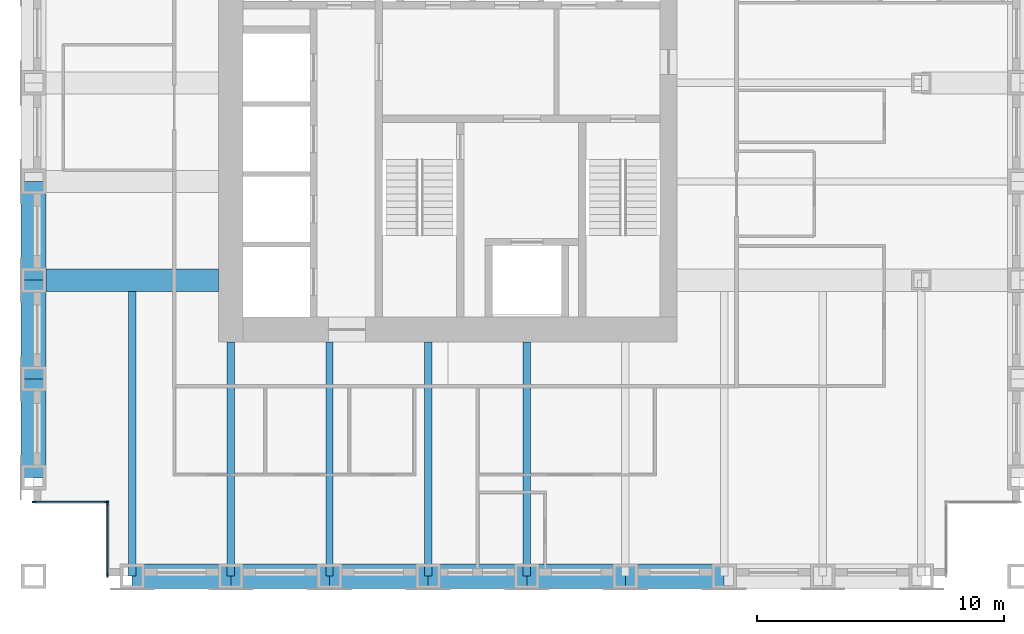
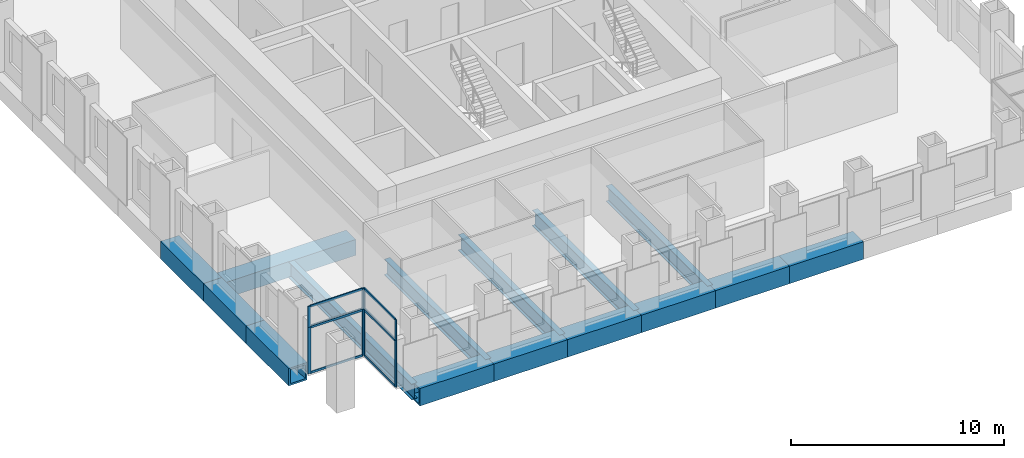
# One storey, part 2 of 14: 16 members, 15 beams, 4 elements without a shape of their own.
"""IFC4 building model written with IfcOpenShell, lengths in metres."""

from ifc_helpers import new_model, si_unit, direction, frame, origin, origin_2d, place, context, subcontext, project, spatial, rectangle, hollow_rectangle, i_section, extrude, material, material_profile, profile_set, type_object, element, aggregate, save


model = new_model("IFC4")

# Units and contexts
model_context = context("Model", 3, precision=1e-05, world=origin(), true_north=direction((0.0, 1.0)))
body_context = subcontext(model_context, "Body", "Model", "MODEL_VIEW")
ifc_project = project(units=[si_unit("LENGTHUNIT", "METRE"), si_unit("AREAUNIT", "SQUARE_METRE"), si_unit("VOLUMEUNIT", "CUBIC_METRE"), si_unit("PLANEANGLEUNIT", "RADIAN"), si_unit("MASSUNIT", "GRAM", prefix="KILO")], contexts=[model_context])

# Site, building, storey
site_placement = place(None, origin())
site = spatial("IfcSite", under=ifc_project, at=site_placement, CompositionType="ELEMENT")
building_placement = place(site_placement, origin())
building = spatial("IfcBuilding", under=site, at=building_placement, Name="Rimbunsela Tower", CompositionType="ELEMENT")
storey_placement = place(building_placement, frame((0.0, 0.0, 234.199951171875)))
storey = spatial("IfcBuildingStorey", under=building, at=storey_placement, Name="L56", CompositionType="ELEMENT", Elevation=234.199951171875)

# Beams
ifc_material_1 = material(Name="Steel BJ 55 (fy 410 MPa)", Category="steel")
ifc_material_profile_1 = material_profile(ifc_material_1, hollow_rectangle(XDim=1.0, YDim=1.0, WallThickness=0.10009765625, at=origin_2d()), Name="BOX 1000x1000x100")
ifc_profile_set_1 = profile_set([ifc_material_profile_1], Name="Steel BJ 55 (fy 410 MPa)")
beam_type_1 = type_object("IfcBeamType", Name="Beam BOX 1000x1000x100", PredefinedType="BEAM", material=ifc_profile_set_1)
for number, where, z_axis, x_axis, name in (
    (1, (10.0, 12.0, -0.64990234375), (0.0, 1.0, 0.0), (-1.0, 0.0, 0.0), "Beam B3 L56"),
    (2, (10.0, 16.0, -0.64990234375), (0.0, 1.0, 0.0), (-1.0, 0.0, 0.0), "Beam B3 L56"),
    (3, (10.0, 20.0, -0.64990234375), (0.0, 1.0, 0.0), (-1.0, 0.0, 0.0), "Beam B3 L56"),
    (4, (14.0, 8.0, -0.64990234375), (1.0, 0.0, 0.0), (0.0, 1.0, 0.0), "Beam B3 L56"),
    (5, (18.0, 8.0, -0.64990234375), (1.0, 0.0, 0.0), (0.0, 1.0, 0.0), "Beam B3 L56"),
    (6, (22.0, 8.0, -0.64990234375), (1.0, 0.0, 0.0), (0.0, 1.0, 0.0), "Beam B3 L56"),
    (7, (26.0, 8.0, -0.64990234375), (1.0, 0.0, 0.0), (0.0, 1.0, 0.0), "Beam B3 L56"),
    (8, (30.0, 8.0, -0.64990234375), (1.0, 0.0, 0.0), (0.0, 1.0, 0.0), "Beam B3 L56"),
    (9, (34.0, 8.0, -0.64990234375), (1.0, 0.0, 0.0), (0.0, 1.0, 0.0), "Beam B3 L56"),
):
    element("IfcBeam", number, at=place(storey_placement, frame(where, z_axis=z_axis, x_axis=x_axis)), inside=storey, type_object=beam_type_1, Name=name, PredefinedType="BEAM", context=body_context, shape_type="SweptSolid", body=[
        extrude(hollow_rectangle(XDim=1.0, YDim=1.0, WallThickness=0.10009765625, at=origin_2d()), origin(), (0.0, 0.0, 1.0), 4.0),
    ])
ifc_material_2 = material(Name="Steel BJ 55 (fy 410 MPa)", Category="steel")
ifc_material_profile_2 = material_profile(ifc_material_2, hollow_rectangle(XDim=0.89990234375, YDim=0.89990234375, WallThickness=0.06005859375, at=origin_2d()), Name="BOX 900x900x60")
ifc_profile_set_2 = profile_set([ifc_material_profile_2], Name="Steel BJ 55 (fy 410 MPa)")
beam_type_2 = type_object("IfcBeamType", Name="Beam BOX 900x900x60", PredefinedType="BEAM", material=ifc_profile_set_2)
beam_1_placement = place(storey_placement, frame((10.0, 20.0, -0.599853515625), z_axis=(1.0, 0.0, 0.0), x_axis=(0.0, 1.0, 0.0)))
element("IfcBeam", 10, at=beam_1_placement, inside=storey, type_object=beam_type_2, Name="Beam B1 L56", PredefinedType="BEAM", context=body_context, shape_type="SweptSolid", body=[
    extrude(hollow_rectangle(XDim=0.89990234375, YDim=0.89990234375, WallThickness=0.06005859375, at=origin_2d()), origin(), (0.0, 0.0, 1.0), 7.5),
])
ifc_material_3 = material(Name="Steel BJ 55 (fy 410 MPa)", Category="steel")
ifc_material_profile_3 = material_profile(ifc_material_3, i_section(OverallWidth=0.300048828125, OverallDepth=0.89990234375, WebThickness=0.01611328125, FlangeThickness=0.028076171875, FilletRadius=0.028076171875, at=origin_2d()), Name="H 900x300x16x28")
ifc_profile_set_3 = profile_set([ifc_material_profile_3], Name="Steel BJ 55 (fy 410 MPa)")
beam_type_3 = type_object("IfcBeamType", Name="Beam H 900x300x16x28", PredefinedType="BEAM", material=ifc_profile_set_3)
beam_2_placement = place(storey_placement, frame((14.0, 8.0, -0.599853515625), z_axis=(0.0, 1.0, 0.0), x_axis=(-1.0, 0.0, 0.0)))
element("IfcBeam", 11, at=beam_2_placement, inside=storey, type_object=beam_type_3, Name="Beam B2 L56", PredefinedType="BEAM", context=body_context, shape_type="SweptSolid", body=[
    extrude(i_section(OverallWidth=0.300048828125, OverallDepth=0.89990234375, WebThickness=0.01611328125, FlangeThickness=0.028076171875, FilletRadius=0.028076171875, at=origin_2d()), origin(), (0.0, 0.0, 1.0), 11.550048828125),
])
for number, where, z_axis, x_axis, name in (
    (12, (18.0, 8.0, -0.599853515625), (0.0, 1.0, 0.0), (-1.0, 0.0, 0.0), "Beam B2 L56"),
    (13, (22.0, 8.0, -0.599853515625), (0.0, 1.0, 0.0), (-1.0, 0.0, 0.0), "Beam B2 L56"),
    (14, (26.0, 8.0, -0.599853515625), (0.0, 1.0, 0.0), (-1.0, 0.0, 0.0), "Beam B2 L56"),
    (15, (30.0, 8.0, -0.599853515625), (0.0, 1.0, 0.0), (-1.0, 0.0, 0.0), "Beam B2 L56"),
):
    element("IfcBeam", number, at=place(storey_placement, frame(where, z_axis=z_axis, x_axis=x_axis)), inside=storey, type_object=beam_type_3, Name=name, PredefinedType="BEAM", context=body_context, shape_type="SweptSolid", body=[
        extrude(i_section(OverallWidth=0.300048828125, OverallDepth=0.89990234375, WebThickness=0.01611328125, FlangeThickness=0.028076171875, FilletRadius=0.028076171875, at=origin_2d()), origin(), (0.0, 0.0, 1.0), 9.5),
    ])

# Curtain wall, members
ifc_material_4 = material(Name="Aluminium curtain wall", Category="aluminium")
curtain_wall_type_1 = type_object("IfcCurtainWallType", Name="Corner glazing", PredefinedType="USERDEFINED", material=ifc_material_4)
curtain_wall_1_placement = place(storey_placement, origin())
curtain_wall_1 = element("IfcCurtainWall", 16, at=curtain_wall_1_placement, inside=storey, type_object=curtain_wall_type_1, Name="Corner glazing L56", ObjectType="CORNER GLAZING", PredefinedType="USERDEFINED")
ifc_material_5 = material(Name="Aluminium mullion", Category="aluminium")
ifc_material_profile_4 = material_profile(ifc_material_5, rectangle(XDim=0.06005859375, YDim=0.159912109375, at=origin_2d()), Name="Mullion 60x160")
ifc_profile_set_4 = profile_set([ifc_material_profile_4], Name="Aluminium mullion")
member_type_1 = type_object("IfcMemberType", Name="Curtain wall mullion 60x160", PredefinedType="MULLION", material=ifc_profile_set_4)
member_1_placement = place(storey_placement, frame((10.030029296875, 11.0, 0.0), z_axis=(0.0, 0.0, 1.0), x_axis=(0.0, 1.0, 0.0)))
member_1 = element("IfcMember", 17, at=member_1_placement, type_object=member_type_1, Name="CW5 mullion 1", PredefinedType="MULLION", context=body_context, shape_type="SweptSolid", body=[
    extrude(rectangle(XDim=0.06005859375, YDim=0.159912109375, at=origin_2d()), origin(), (0.0, 0.0, 1.0), 2.650146484375),
])
member_2_placement = place(storey_placement, frame((12.969970703125, 11.0, 0.0), z_axis=(0.0, 0.0, 1.0), x_axis=(0.0, 1.0, 0.0)))
member_2 = element("IfcMember", 18, at=member_2_placement, type_object=member_type_1, Name="CW5 mullion 2", PredefinedType="MULLION", context=body_context, shape_type="SweptSolid", body=[
    extrude(rectangle(XDim=0.06005859375, YDim=0.159912109375, at=origin_2d()), origin(), (0.0, 0.0, 1.0), 2.650146484375),
])

ifc_material_6 = material(Name="Aluminium curtain wall", Category="aluminium")
curtain_wall_type_2 = type_object("IfcCurtainWallType", Name="Spandrel wall", PredefinedType="USERDEFINED", material=ifc_material_6)
curtain_wall_2_placement = place(storey_placement, origin())
curtain_wall_2 = element("IfcCurtainWall", 19, at=curtain_wall_2_placement, inside=storey, type_object=curtain_wall_type_2, Name="Spandrel wall L56", ObjectType="SPANDREL WALL", PredefinedType="USERDEFINED")
member_3_placement = place(storey_placement, frame((10.030029296875, 11.0, 2.650146484375), z_axis=(0.0, 0.0, 1.0), x_axis=(0.0, 1.0, 0.0)))
member_3 = element("IfcMember", 20, at=member_3_placement, type_object=member_type_1, Name="CW7 mullion 1", PredefinedType="MULLION", context=body_context, shape_type="SweptSolid", body=[
    extrude(rectangle(XDim=0.06005859375, YDim=0.159912109375, at=origin_2d()), origin(), (0.0, 0.0, 1.0), 1.199951171875),
])
member_4_placement = place(storey_placement, frame((12.969970703125, 11.0, 2.650146484375), z_axis=(0.0, 0.0, 1.0), x_axis=(0.0, 1.0, 0.0)))
member_4 = element("IfcMember", 21, at=member_4_placement, type_object=member_type_1, Name="CW7 mullion 2", PredefinedType="MULLION", context=body_context, shape_type="SweptSolid", body=[
    extrude(rectangle(XDim=0.06005859375, YDim=0.159912109375, at=origin_2d()), origin(), (0.0, 0.0, 1.0), 1.199951171875),
])

curtain_wall_3_placement = place(storey_placement, origin())
curtain_wall_3 = element("IfcCurtainWall", 22, at=curtain_wall_3_placement, inside=storey, type_object=curtain_wall_type_1, Name="Corner glazing L56", ObjectType="CORNER GLAZING", PredefinedType="USERDEFINED")
member_5_placement = place(storey_placement, frame((13.0, 10.969970703125, 0.0), z_axis=(0.0, 0.0, 1.0), x_axis=(1.0, 0.0, 0.0)))
member_5 = element("IfcMember", 23, at=member_5_placement, type_object=member_type_1, Name="CW5 mullion 1", PredefinedType="MULLION", context=body_context, shape_type="SweptSolid", body=[
    extrude(rectangle(XDim=0.06005859375, YDim=0.159912109375, at=origin_2d()), origin(), (0.0, 0.0, 1.0), 2.650146484375),
])
member_6_placement = place(storey_placement, frame((13.0, 8.030029296875, 0.0), z_axis=(0.0, 0.0, 1.0), x_axis=(1.0, 0.0, 0.0)))
member_6 = element("IfcMember", 24, at=member_6_placement, type_object=member_type_1, Name="CW5 mullion 2", PredefinedType="MULLION", context=body_context, shape_type="SweptSolid", body=[
    extrude(rectangle(XDim=0.06005859375, YDim=0.159912109375, at=origin_2d()), origin(), (0.0, 0.0, 1.0), 2.650146484375),
])

curtain_wall_4_placement = place(storey_placement, origin())
curtain_wall_4 = element("IfcCurtainWall", 25, at=curtain_wall_4_placement, inside=storey, type_object=curtain_wall_type_2, Name="Spandrel wall L56", ObjectType="SPANDREL WALL", PredefinedType="USERDEFINED")
member_7_placement = place(storey_placement, frame((13.0, 10.969970703125, 2.650146484375), z_axis=(0.0, 0.0, 1.0), x_axis=(1.0, 0.0, 0.0)))
member_7 = element("IfcMember", 26, at=member_7_placement, type_object=member_type_1, Name="CW7 mullion 1", PredefinedType="MULLION", context=body_context, shape_type="SweptSolid", body=[
    extrude(rectangle(XDim=0.06005859375, YDim=0.159912109375, at=origin_2d()), origin(), (0.0, 0.0, 1.0), 1.199951171875),
])
member_8_placement = place(storey_placement, frame((13.0, 8.030029296875, 2.650146484375), z_axis=(0.0, 0.0, 1.0), x_axis=(1.0, 0.0, 0.0)))
member_8 = element("IfcMember", 27, at=member_8_placement, type_object=member_type_1, Name="CW7 mullion 2", PredefinedType="MULLION", context=body_context, shape_type="SweptSolid", body=[
    extrude(rectangle(XDim=0.06005859375, YDim=0.159912109375, at=origin_2d()), origin(), (0.0, 0.0, 1.0), 1.199951171875),
])

# Member
ifc_material_7 = material(Name="Aluminium transom", Category="aluminium")
ifc_material_profile_5 = material_profile(ifc_material_7, rectangle(XDim=0.06005859375, YDim=0.1201171875, at=origin_2d()), Name="Transom 60x120")
ifc_profile_set_5 = profile_set([ifc_material_profile_5], Name="Aluminium transom")
member_type_2 = type_object("IfcMemberType", Name="Curtain wall transom 60x120", PredefinedType="USERDEFINED", material=ifc_profile_set_5)
member_9_placement = place(storey_placement, frame((10.06005859375, 11.0, 0.030029296875), z_axis=(1.0, 0.0, 0.0), x_axis=(0.0, 1.0, 0.0)))
member_9 = element("IfcMember", 28, at=member_9_placement, type_object=member_type_2, Name="CW5 transom 1.1", ObjectType="TRANSOM", PredefinedType="USERDEFINED", context=body_context, shape_type="SweptSolid", body=[
    extrude(rectangle(XDim=0.06005859375, YDim=0.1201171875, at=origin_2d()), origin(), (0.0, 0.0, 1.0), 2.8798828125),
])

member_10_placement = place(storey_placement, frame((10.06005859375, 11.0, 2.6201171875), z_axis=(1.0, 0.0, 0.0), x_axis=(0.0, 1.0, 0.0)))
member_10 = element("IfcMember", 29, at=member_10_placement, type_object=member_type_2, Name="CW5 transom 1.2", ObjectType="TRANSOM", PredefinedType="USERDEFINED", context=body_context, shape_type="SweptSolid", body=[
    extrude(rectangle(XDim=0.06005859375, YDim=0.1201171875, at=origin_2d()), origin(), (0.0, 0.0, 1.0), 2.8798828125),
])

aggregate(curtain_wall_1, [member_1, member_2, member_9, member_10])

member_11_placement = place(storey_placement, frame((10.06005859375, 11.0, 2.679931640625), z_axis=(1.0, 0.0, 0.0), x_axis=(0.0, 1.0, 0.0)))
member_11 = element("IfcMember", 30, at=member_11_placement, type_object=member_type_2, Name="CW7 transom 1.1", ObjectType="TRANSOM", PredefinedType="USERDEFINED", context=body_context, shape_type="SweptSolid", body=[
    extrude(rectangle(XDim=0.06005859375, YDim=0.1201171875, at=origin_2d()), origin(), (0.0, 0.0, 1.0), 2.8798828125),
])

member_12_placement = place(storey_placement, frame((10.06005859375, 11.0, 3.820068359375), z_axis=(1.0, 0.0, 0.0), x_axis=(0.0, 1.0, 0.0)))
member_12 = element("IfcMember", 31, at=member_12_placement, type_object=member_type_2, Name="CW7 transom 1.2", ObjectType="TRANSOM", PredefinedType="USERDEFINED", context=body_context, shape_type="SweptSolid", body=[
    extrude(rectangle(XDim=0.06005859375, YDim=0.1201171875, at=origin_2d()), origin(), (0.0, 0.0, 1.0), 2.8798828125),
])

aggregate(curtain_wall_2, [member_3, member_4, member_11, member_12])

member_13_placement = place(storey_placement, frame((13.0, 10.93994140625, 0.030029296875), z_axis=(0.0, -1.0, 0.0), x_axis=(1.0, 0.0, 0.0)))
member_13 = element("IfcMember", 32, at=member_13_placement, type_object=member_type_2, Name="CW5 transom 1.1", ObjectType="TRANSOM", PredefinedType="USERDEFINED", context=body_context, shape_type="SweptSolid", body=[
    extrude(rectangle(XDim=0.06005859375, YDim=0.1201171875, at=origin_2d()), origin(), (0.0, 0.0, 1.0), 2.8798828125),
])

member_14_placement = place(storey_placement, frame((13.0, 10.93994140625, 2.6201171875), z_axis=(0.0, -1.0, 0.0), x_axis=(1.0, 0.0, 0.0)))
member_14 = element("IfcMember", 33, at=member_14_placement, type_object=member_type_2, Name="CW5 transom 1.2", ObjectType="TRANSOM", PredefinedType="USERDEFINED", context=body_context, shape_type="SweptSolid", body=[
    extrude(rectangle(XDim=0.06005859375, YDim=0.1201171875, at=origin_2d()), origin(), (0.0, 0.0, 1.0), 2.8798828125),
])

aggregate(curtain_wall_3, [member_5, member_6, member_13, member_14])

member_15_placement = place(storey_placement, frame((13.0, 10.93994140625, 2.679931640625), z_axis=(0.0, -1.0, 0.0), x_axis=(1.0, 0.0, 0.0)))
member_15 = element("IfcMember", 34, at=member_15_placement, type_object=member_type_2, Name="CW7 transom 1.1", ObjectType="TRANSOM", PredefinedType="USERDEFINED", context=body_context, shape_type="SweptSolid", body=[
    extrude(rectangle(XDim=0.06005859375, YDim=0.1201171875, at=origin_2d()), origin(), (0.0, 0.0, 1.0), 2.8798828125),
])

member_16_placement = place(storey_placement, frame((13.0, 10.93994140625, 3.820068359375), z_axis=(0.0, -1.0, 0.0), x_axis=(1.0, 0.0, 0.0)))
member_16 = element("IfcMember", 35, at=member_16_placement, type_object=member_type_2, Name="CW7 transom 1.2", ObjectType="TRANSOM", PredefinedType="USERDEFINED", context=body_context, shape_type="SweptSolid", body=[
    extrude(rectangle(XDim=0.06005859375, YDim=0.1201171875, at=origin_2d()), origin(), (0.0, 0.0, 1.0), 2.8798828125),
])

aggregate(curtain_wall_4, [member_7, member_8, member_15, member_16])

save(model, "model.ifc")
